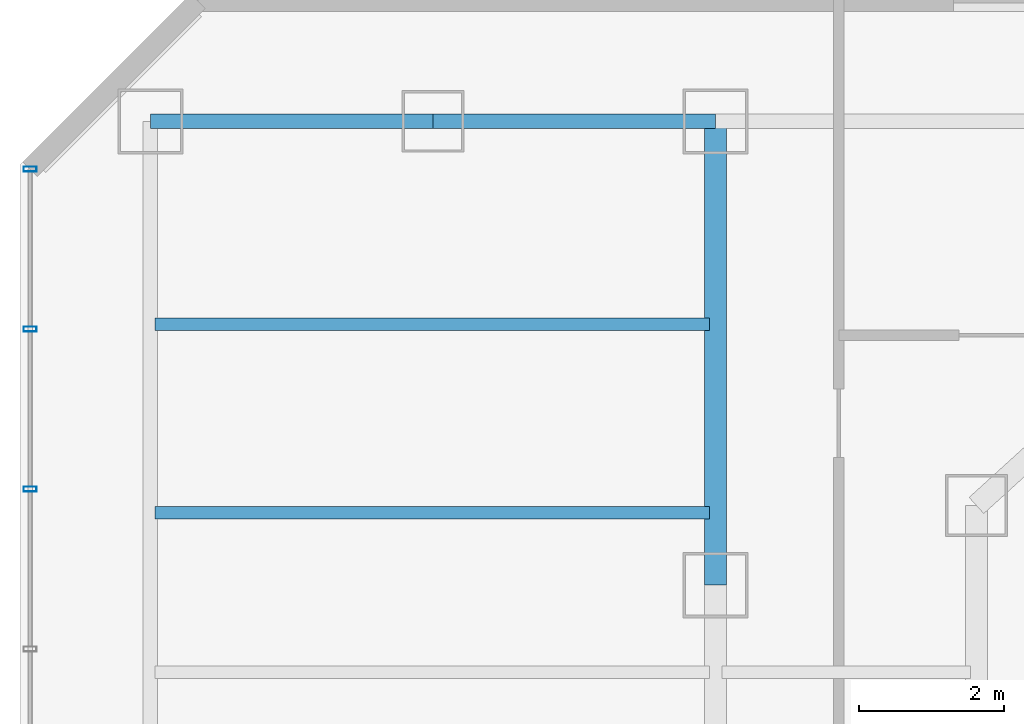
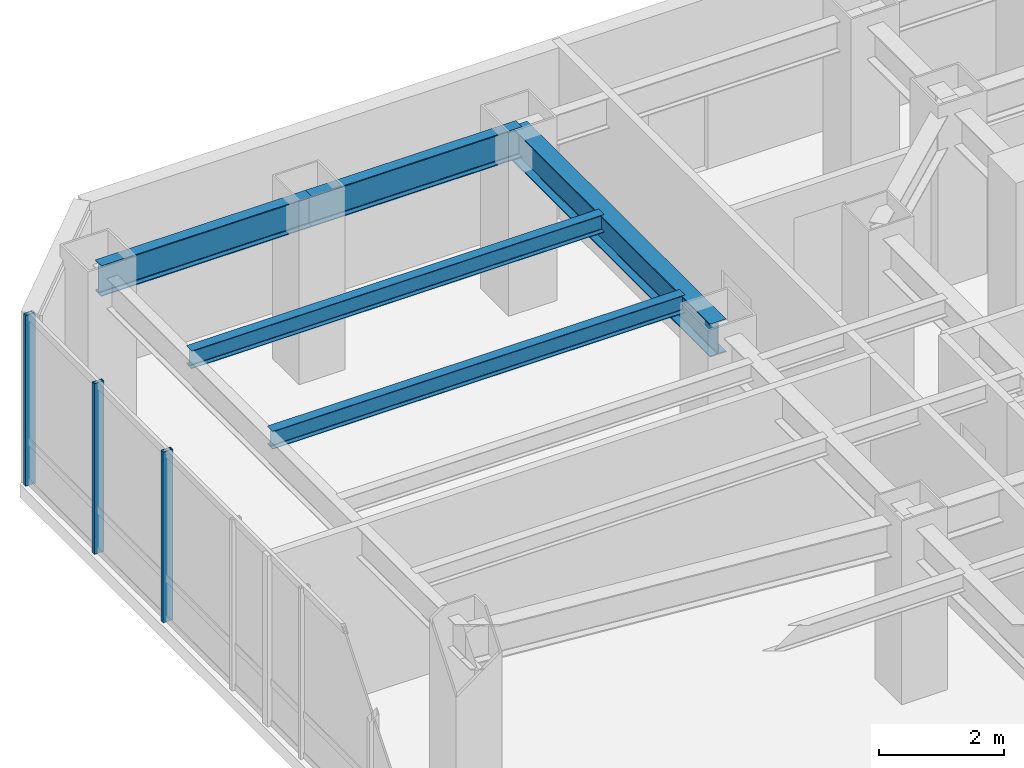
# One storey, part 17 of 30: 5 beams, 3 members, 1 element without a shape of its own.
"""IFC4 building model written with IfcOpenShell, lengths in metres."""

from ifc_helpers import new_model, si_unit, direction, frame, origin, origin_2d, place, context, subcontext, project, spatial, hollow_rectangle, i_section, extrude, material, layer, layer_set, material_profile, profile_set, type_object, element, aggregate, save


model = new_model("IFC4")

# Units and contexts
model_context = context("Model", 3, precision=1e-05, world=origin(), true_north=direction((0.0, 1.0)))
body_context = subcontext(model_context, "Body", "Model", "MODEL_VIEW")
ifc_project = project(units=[si_unit("LENGTHUNIT", "METRE"), si_unit("AREAUNIT", "SQUARE_METRE"), si_unit("VOLUMEUNIT", "CUBIC_METRE"), si_unit("PLANEANGLEUNIT", "RADIAN"), si_unit("MASSUNIT", "GRAM", prefix="KILO")], contexts=[model_context])

# Site, building, storey
site_placement = place(None, origin())
site = spatial("IfcSite", under=ifc_project, at=site_placement, CompositionType="ELEMENT")
building_placement = place(site_placement, origin())
building = spatial("IfcBuilding", under=site, at=building_placement, Name="Hatsunagi Terrace Concourse", CompositionType="ELEMENT")
storey_placement = place(building_placement, frame((0.0, 0.0, 101.25)))
storey = spatial("IfcBuildingStorey", under=building, at=storey_placement, Name="L26", CompositionType="ELEMENT", Elevation=101.25)

# Curtain wall, members
ifc_material_1 = material(Name="Anodised Aluminium Alloy 6063-T5", Category="aluminium")
ifc_layer = layer(ifc_material_1, 0.199951171875)
ifc_layer_set = layer_set([ifc_layer], Name="OfficeZone1_CW03")
curtain_wall_type = type_object("IfcCurtainWallType", Name="OfficeZone1_CW03", PredefinedType="NOTDEFINED", material=ifc_layer_set)
curtain_wall_placement = place(storey_placement, origin())
curtain_wall = element("IfcCurtainWall", 1, at=curtain_wall_placement, inside=storey, type_object=curtain_wall_type, Name="Unitised Curtain Wall CW-03 CW-L26-09", PredefinedType="NOTDEFINED")
ifc_material_2 = material(Name="Anodised Aluminium Alloy 6063-T5", Category="aluminium")
ifc_material_profile_1 = material_profile(ifc_material_2, hollow_rectangle(XDim=0.070068359375, YDim=0.179931640625, WallThickness=0.00390625, at=origin_2d()), Name="ALU-MUL-180x70x4")
ifc_profile_set_1 = profile_set([ifc_material_profile_1], Name="Anodised Aluminium Alloy 6063-T5")
member_type = type_object("IfcMemberType", Name="CurtainWallMullion_180x70", PredefinedType="MULLION", material=ifc_profile_set_1)
member_1_placement = place(storey_placement, frame((9.739990234375, 43.52490234375, 0.0), z_axis=(0.0, 0.0, 1.0), x_axis=(0.0, 1.0, 0.0)))
member_1 = element("IfcMember", 2, at=member_1_placement, type_object=member_type, Name="Curtain Wall Mullion MUL-02", PredefinedType="MULLION", context=body_context, shape_type="SweptSolid", body=[
    extrude(hollow_rectangle(XDim=0.070068359375, YDim=0.179931640625, WallThickness=0.00390625, at=origin_2d()), origin(), (0.0, 0.0, 1.0), 3.35009765625),
])
member_2_placement = place(storey_placement, frame((9.739990234375, 45.73388671875, 0.0), z_axis=(0.0, 0.0, 1.0), x_axis=(0.0, 1.0, 0.0)))
member_2 = element("IfcMember", 3, at=member_2_placement, type_object=member_type, Name="Curtain Wall Mullion MUL-02", PredefinedType="MULLION", context=body_context, shape_type="SweptSolid", body=[
    extrude(hollow_rectangle(XDim=0.070068359375, YDim=0.179931640625, WallThickness=0.00390625, at=origin_2d()), origin(), (0.0, 0.0, 1.0), 3.35009765625),
])
member_3_placement = place(storey_placement, frame((9.739990234375, 47.94189453125, 0.0), z_axis=(0.0, 0.0, 1.0), x_axis=(0.0, 1.0, 0.0)))
member_3 = element("IfcMember", 4, at=member_3_placement, type_object=member_type, Name="Curtain Wall Mullion MUL-02", PredefinedType="MULLION", context=body_context, shape_type="SweptSolid", body=[
    extrude(hollow_rectangle(XDim=0.070068359375, YDim=0.179931640625, WallThickness=0.00390625, at=origin_2d()), origin(), (0.0, 0.0, 1.0), 3.35009765625),
])
aggregate(curtain_wall, [member_1, member_2, member_3])

# Beams
ifc_material_3 = material(Name="Steel SN490B", Category="steel")
ifc_material_profile_2 = material_profile(ifc_material_3, i_section(OverallWidth=0.175048828125, OverallDepth=0.35009765625, WebThickness=0.007080078125, FlangeThickness=0.010986328125, FilletRadius=0.012939453125, at=origin_2d()), Name="H-350x175x7x11")
ifc_profile_set_2 = profile_set([ifc_material_profile_2], Name="Steel SN490B")
beam_type_1 = type_object("IfcBeamType", Name="HotelJoist_H_350x175", PredefinedType="JOIST", material=ifc_profile_set_2)
for number, where, z_axis, x_axis, name in (
    (5, (11.465087890625, 43.199951171875, 3.175048828125), (1.0, 0.0, 0.0), (0.0, 1.0, 0.0), "Beam J-02 J-L26-W-11-432"),
    (6, (11.465087890625, 45.800048828125, 3.175048828125), (1.0, 0.0, 0.0), (0.0, 1.0, 0.0), "Beam J-02 J-L26-W-11-458"),
):
    element("IfcBeam", number, at=place(storey_placement, frame(where, z_axis=z_axis, x_axis=x_axis)), inside=storey, type_object=beam_type_1, Name=name, PredefinedType="JOIST", context=body_context, shape_type="SweptSolid", body=[
        extrude(i_section(OverallWidth=0.175048828125, OverallDepth=0.35009765625, WebThickness=0.007080078125, FlangeThickness=0.010986328125, FilletRadius=0.012939453125, at=origin_2d()), origin(), (0.0, 0.0, 1.0), 7.64990234375),
    ])
ifc_material_4 = material(Name="Steel SN490B", Category="steel")
ifc_material_profile_3 = material_profile(ifc_material_4, i_section(OverallWidth=0.300048828125, OverallDepth=0.64990234375, WebThickness=0.012939453125, FlangeThickness=0.02197265625, FilletRadius=0.01806640625, at=origin_2d()), Name="H-650x300x13x22")
ifc_profile_set_3 = profile_set([ifc_material_profile_3], Name="Steel SN490B")
beam_type_2 = type_object("IfcBeamType", Name="OfficeLowGirder_H_650x300", PredefinedType="BEAM", material=ifc_profile_set_3)
beam_1_placement = place(storey_placement, frame((19.199951171875, 42.199951171875, 3.02490234375), z_axis=(0.0, 1.0, 0.0), x_axis=(-1.0, 0.0, 0.0)))
element("IfcBeam", 7, at=beam_1_placement, inside=storey, type_object=beam_type_2, Name="Beam G-05 BM-L26-NS-19-42", PredefinedType="BEAM", context=body_context, shape_type="SweptSolid", body=[
    extrude(i_section(OverallWidth=0.300048828125, OverallDepth=0.64990234375, WebThickness=0.012939453125, FlangeThickness=0.02197265625, FilletRadius=0.01806640625, at=origin_2d()), origin(), (0.0, 0.0, 1.0), 6.400146484375),
])
ifc_material_5 = material(Name="Steel SN490B", Category="steel")
ifc_material_profile_4 = material_profile(ifc_material_5, i_section(OverallWidth=0.199951171875, OverallDepth=0.60009765625, WebThickness=0.010986328125, FlangeThickness=0.01708984375, FilletRadius=0.01806640625, at=origin_2d()), Name="H-600x200x11x17")
ifc_profile_set_4 = profile_set([ifc_material_profile_4], Name="Steel SN490B")
beam_type_3 = type_object("IfcBeamType", Name="PerimeterSpandrel_H_600x200", PredefinedType="SPANDREL", material=ifc_profile_set_4)
beam_2_placement = place(storey_placement, frame((11.39990234375, 48.60009765625, 3.050048828125), z_axis=(1.0, 0.0, 0.0), x_axis=(0.0, 1.0, 0.0)))
element("IfcBeam", 8, at=beam_2_placement, inside=storey, type_object=beam_type_3, Name="Beam SP-01 BM-L26-WN-11", PredefinedType="SPANDREL", context=body_context, shape_type="SweptSolid", body=[
    extrude(i_section(OverallWidth=0.199951171875, OverallDepth=0.60009765625, WebThickness=0.010986328125, FlangeThickness=0.01708984375, FilletRadius=0.01806640625, at=origin_2d()), origin(), (0.0, 0.0, 1.0), 3.900146484375),
])
beam_3_placement = place(storey_placement, frame((15.300048828125, 48.60009765625, 3.050048828125), z_axis=(1.0, 0.0, 0.0), x_axis=(0.0, 1.0, 0.0)))
element("IfcBeam", 9, at=beam_3_placement, inside=storey, type_object=beam_type_3, Name="Beam SP-01 BM-L26-WN-15", PredefinedType="SPANDREL", context=body_context, shape_type="SweptSolid", body=[
    extrude(i_section(OverallWidth=0.199951171875, OverallDepth=0.60009765625, WebThickness=0.010986328125, FlangeThickness=0.01708984375, FilletRadius=0.01806640625, at=origin_2d()), origin(), (0.0, 0.0, 1.0), 3.89990234375),
])

save(model, "model.ifc")
